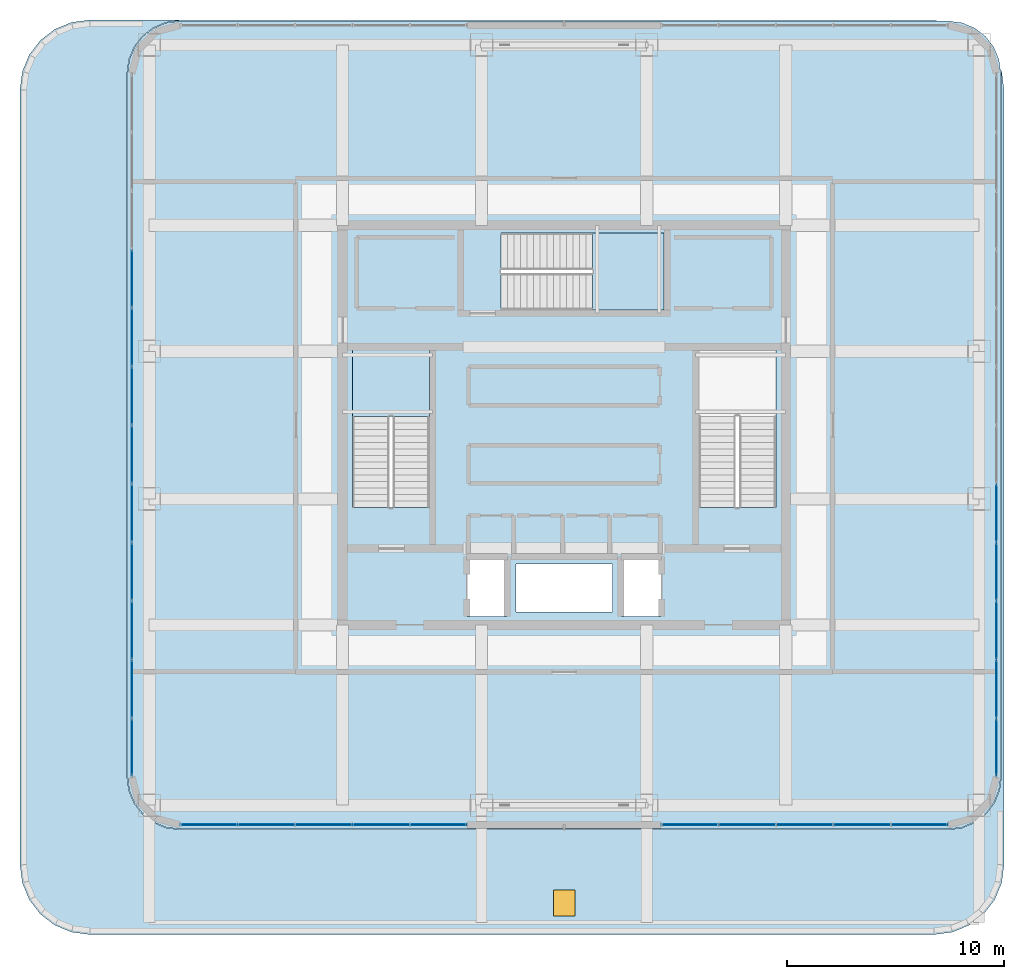
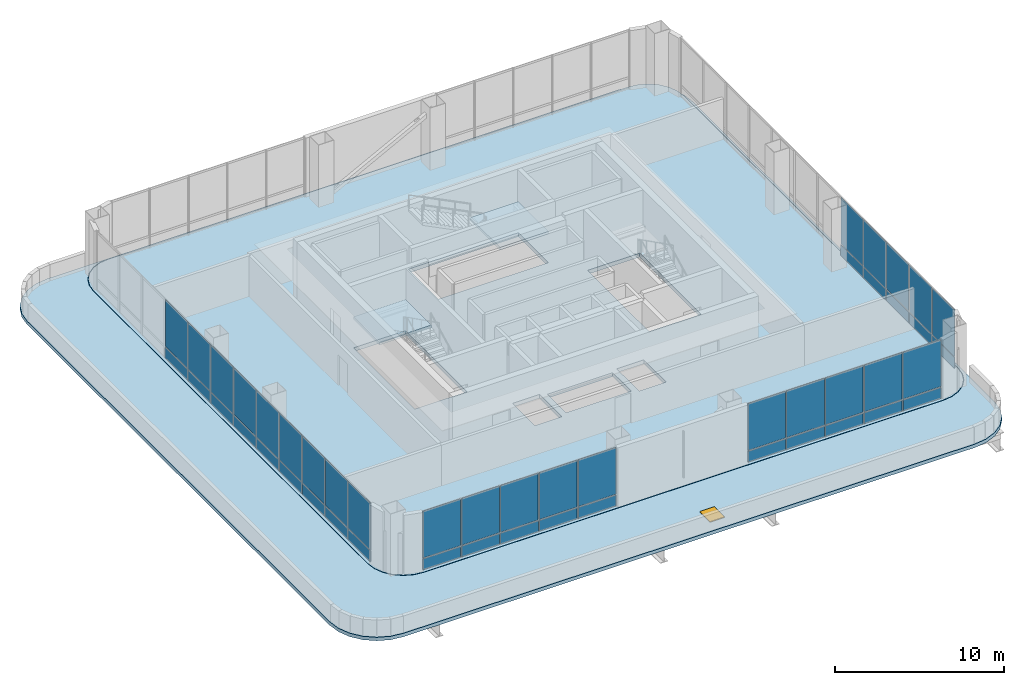
# One storey, part 25 of 33: 48 plates, 4 slabs, 1 door, 1 opening, 6 elements without a shape of their own.
"""IFC4 building model written with IfcOpenShell, lengths in metres."""

from ifc_helpers import new_model, si_unit, direction, frame, origin, origin_2d, place, context, subcontext, project, spatial, polyline, rectangle, outline, extrude, material, layer, layer_set, type_object, element, fill, aggregate, save


model = new_model("IFC4")

# Units and contexts
model_context = context("Model", 3, precision=1e-05, world=origin(), true_north=direction((0.0, 1.0)))
body_context = subcontext(model_context, "Body", "Model", "MODEL_VIEW")
ifc_project = project(units=[si_unit("LENGTHUNIT", "METRE"), si_unit("AREAUNIT", "SQUARE_METRE"), si_unit("VOLUMEUNIT", "CUBIC_METRE"), si_unit("PLANEANGLEUNIT", "RADIAN"), si_unit("MASSUNIT", "GRAM", prefix="KILO")], contexts=[model_context])

# Site, building, storey
site_placement = place(None, origin())
site = spatial("IfcSite", under=ifc_project, at=site_placement, CompositionType="ELEMENT")
building_placement = place(site_placement, origin())
building = spatial("IfcBuilding", under=site, at=building_placement, Name="Punatoya Terracotta Tower", CompositionType="ELEMENT")
storey_placement = place(building_placement, frame((0.0, 0.0, 343.800048828125)))
storey = spatial("IfcBuildingStorey", under=building, at=storey_placement, Name="L81", CompositionType="ELEMENT", Elevation=343.800048828125)

# Curtain wall, plates
ifc_material_1 = material(Name="Aluminium 6063-T6 + Double Low-E Glass", Category="aluminium")
curtain_wall_type = type_object("IfcCurtainWallType", Name="CW-CRN", PredefinedType="NOTDEFINED", material=ifc_material_1)
curtain_wall_1_placement = place(storey_placement, origin())
curtain_wall_1 = element("IfcCurtainWall", 1, at=curtain_wall_1_placement, inside=storey, type_object=curtain_wall_type, Name="L81 Curtain Wall CW-L81-S01-1", PredefinedType="NOTDEFINED")
ifc_material_2 = material(Name="Double Low-E Acoustic Vision Glass", Category="glass")
ifc_layer_1 = layer(ifc_material_2, 0.031982421875)
ifc_layer_set_1 = layer_set([ifc_layer_1], Name="Double Low-E Acoustic Vision Glass")
plate_type_1 = type_object("IfcPlateType", Name="PLT-GLZ-32", PredefinedType="CURTAIN_PANEL", material=ifc_layer_set_1)
plate_1_placement = place(storey_placement, frame((-16.36328125, -18.39990234375, 0.889892578125), z_axis=(0.0, 0.0, 1.0), x_axis=(1.0, 0.0, 0.0)))
plate_1 = element("IfcPlate", 2, at=plate_1_placement, type_object=plate_type_1, Name="CW-L81-S01-1 Vision Glass Panel 1", PredefinedType="CURTAIN_PANEL", context=body_context, shape_type="SweptSolid", body=[
    extrude(rectangle(XDim=2.5625, YDim=0.031982421875, at=origin_2d()), origin(), (0.0, 0.0, 1.0), 3.35009765625),
])
plate_2_placement = place(storey_placement, frame((-13.7158203125, -18.39990234375, 0.889892578125), z_axis=(0.0, 0.0, 1.0), x_axis=(1.0, 0.0, 0.0)))
plate_2 = element("IfcPlate", 3, at=plate_2_placement, type_object=plate_type_1, Name="CW-L81-S01-1 Vision Glass Panel 2", PredefinedType="CURTAIN_PANEL", context=body_context, shape_type="SweptSolid", body=[
    extrude(rectangle(XDim=2.5625, YDim=0.031982421875, at=origin_2d()), origin(), (0.0, 0.0, 1.0), 3.35009765625),
])
plate_3_placement = place(storey_placement, frame((-11.068603515625, -18.39990234375, 0.889892578125), z_axis=(0.0, 0.0, 1.0), x_axis=(1.0, 0.0, 0.0)))
plate_3 = element("IfcPlate", 4, at=plate_3_placement, type_object=plate_type_1, Name="CW-L81-S01-1 Vision Glass Panel 3", PredefinedType="CURTAIN_PANEL", context=body_context, shape_type="SweptSolid", body=[
    extrude(rectangle(XDim=2.5625, YDim=0.031982421875, at=origin_2d()), origin(), (0.0, 0.0, 1.0), 3.35009765625),
])
plate_4_placement = place(storey_placement, frame((-8.421142578125, -18.39990234375, 0.889892578125), z_axis=(0.0, 0.0, 1.0), x_axis=(1.0, 0.0, 0.0)))
plate_4 = element("IfcPlate", 5, at=plate_4_placement, type_object=plate_type_1, Name="CW-L81-S01-1 Vision Glass Panel 4", PredefinedType="CURTAIN_PANEL", context=body_context, shape_type="SweptSolid", body=[
    extrude(rectangle(XDim=2.5625, YDim=0.031982421875, at=origin_2d()), origin(), (0.0, 0.0, 1.0), 3.35009765625),
])
plate_5_placement = place(storey_placement, frame((-5.773681640625, -18.39990234375, 0.889892578125), z_axis=(0.0, 0.0, 1.0), x_axis=(1.0, 0.0, 0.0)))
plate_5 = element("IfcPlate", 6, at=plate_5_placement, type_object=plate_type_1, Name="CW-L81-S01-1 Vision Glass Panel 5", PredefinedType="CURTAIN_PANEL", context=body_context, shape_type="SweptSolid", body=[
    extrude(rectangle(XDim=2.5625, YDim=0.031982421875, at=origin_2d()), origin(), (0.0, 0.0, 1.0), 3.35009765625),
])

curtain_wall_2_placement = place(storey_placement, origin())
curtain_wall_2 = element("IfcCurtainWall", 7, at=curtain_wall_2_placement, inside=storey, type_object=curtain_wall_type, Name="L81 Curtain Wall CW-L81-S01-2", PredefinedType="NOTDEFINED")
plate_6_placement = place(storey_placement, frame((5.773681640625, -18.39990234375, 0.889892578125), z_axis=(0.0, 0.0, 1.0), x_axis=(1.0, 0.0, 0.0)))
plate_6 = element("IfcPlate", 8, at=plate_6_placement, type_object=plate_type_1, Name="CW-L81-S01-2 Vision Glass Panel 1", PredefinedType="CURTAIN_PANEL", context=body_context, shape_type="SweptSolid", body=[
    extrude(rectangle(XDim=2.5625, YDim=0.031982421875, at=origin_2d()), origin(), (0.0, 0.0, 1.0), 3.35009765625),
])
plate_7_placement = place(storey_placement, frame((8.421142578125, -18.39990234375, 0.889892578125), z_axis=(0.0, 0.0, 1.0), x_axis=(1.0, 0.0, 0.0)))
plate_7 = element("IfcPlate", 9, at=plate_7_placement, type_object=plate_type_1, Name="CW-L81-S01-2 Vision Glass Panel 2", PredefinedType="CURTAIN_PANEL", context=body_context, shape_type="SweptSolid", body=[
    extrude(rectangle(XDim=2.5625, YDim=0.031982421875, at=origin_2d()), origin(), (0.0, 0.0, 1.0), 3.35009765625),
])
plate_8_placement = place(storey_placement, frame((11.068603515625, -18.39990234375, 0.889892578125), z_axis=(0.0, 0.0, 1.0), x_axis=(1.0, 0.0, 0.0)))
plate_8 = element("IfcPlate", 10, at=plate_8_placement, type_object=plate_type_1, Name="CW-L81-S01-2 Vision Glass Panel 3", PredefinedType="CURTAIN_PANEL", context=body_context, shape_type="SweptSolid", body=[
    extrude(rectangle(XDim=2.5625, YDim=0.031982421875, at=origin_2d()), origin(), (0.0, 0.0, 1.0), 3.35009765625),
])
plate_9_placement = place(storey_placement, frame((13.7158203125, -18.39990234375, 0.889892578125), z_axis=(0.0, 0.0, 1.0), x_axis=(1.0, 0.0, 0.0)))
plate_9 = element("IfcPlate", 11, at=plate_9_placement, type_object=plate_type_1, Name="CW-L81-S01-2 Vision Glass Panel 4", PredefinedType="CURTAIN_PANEL", context=body_context, shape_type="SweptSolid", body=[
    extrude(rectangle(XDim=2.5625, YDim=0.031982421875, at=origin_2d()), origin(), (0.0, 0.0, 1.0), 3.35009765625),
])
plate_10_placement = place(storey_placement, frame((16.36328125, -18.39990234375, 0.889892578125), z_axis=(0.0, 0.0, 1.0), x_axis=(1.0, 0.0, 0.0)))
plate_10 = element("IfcPlate", 12, at=plate_10_placement, type_object=plate_type_1, Name="CW-L81-S01-2 Vision Glass Panel 5", PredefinedType="CURTAIN_PANEL", context=body_context, shape_type="SweptSolid", body=[
    extrude(rectangle(XDim=2.5625, YDim=0.031982421875, at=origin_2d()), origin(), (0.0, 0.0, 1.0), 3.35009765625),
])

curtain_wall_3_placement = place(storey_placement, origin())
curtain_wall_3 = element("IfcCurtainWall", 13, at=curtain_wall_3_placement, inside=storey, type_object=curtain_wall_type, Name="L81 Curtain Wall CW-L81-E05-1", PredefinedType="NOTDEFINED")
plate_11_placement = place(storey_placement, frame((19.89990234375, -14.837890625, 0.889892578125), z_axis=(0.0, 0.0, 1.0), x_axis=(0.0, 1.0, 0.0)))
plate_11 = element("IfcPlate", 14, at=plate_11_placement, type_object=plate_type_1, Name="CW-L81-E05-1 Vision Glass Panel 1", PredefinedType="CURTAIN_PANEL", context=body_context, shape_type="SweptSolid", body=[
    extrude(rectangle(XDim=2.61279296875, YDim=0.031982421875, at=origin_2d()), origin(), (0.0, 0.0, 1.0), 3.35009765625),
])
plate_12_placement = place(storey_placement, frame((19.89990234375, -12.14013671875, 0.889892578125), z_axis=(0.0, 0.0, 1.0), x_axis=(0.0, 1.0, 0.0)))
plate_12 = element("IfcPlate", 15, at=plate_12_placement, type_object=plate_type_1, Name="CW-L81-E05-1 Vision Glass Panel 2", PredefinedType="CURTAIN_PANEL", context=body_context, shape_type="SweptSolid", body=[
    extrude(rectangle(XDim=2.61279296875, YDim=0.031982421875, at=origin_2d()), origin(), (0.0, 0.0, 1.0), 3.35009765625),
])
plate_13_placement = place(storey_placement, frame((19.89990234375, -9.4423828125, 0.889892578125), z_axis=(0.0, 0.0, 1.0), x_axis=(0.0, 1.0, 0.0)))
plate_13 = element("IfcPlate", 16, at=plate_13_placement, type_object=plate_type_1, Name="CW-L81-E05-1 Vision Glass Panel 3", PredefinedType="CURTAIN_PANEL", context=body_context, shape_type="SweptSolid", body=[
    extrude(rectangle(XDim=2.61279296875, YDim=0.031982421875, at=origin_2d()), origin(), (0.0, 0.0, 1.0), 3.35009765625),
])
plate_14_placement = place(storey_placement, frame((19.89990234375, -6.744384765625, 0.889892578125), z_axis=(0.0, 0.0, 1.0), x_axis=(0.0, 1.0, 0.0)))
plate_14 = element("IfcPlate", 17, at=plate_14_placement, type_object=plate_type_1, Name="CW-L81-E05-1 Vision Glass Panel 4", PredefinedType="CURTAIN_PANEL", context=body_context, shape_type="SweptSolid", body=[
    extrude(rectangle(XDim=2.61279296875, YDim=0.031982421875, at=origin_2d()), origin(), (0.0, 0.0, 1.0), 3.35009765625),
])
plate_15_placement = place(storey_placement, frame((19.89990234375, -4.046630859375, 0.889892578125), z_axis=(0.0, 0.0, 1.0), x_axis=(0.0, 1.0, 0.0)))
plate_15 = element("IfcPlate", 18, at=plate_15_placement, type_object=plate_type_1, Name="CW-L81-E05-1 Vision Glass Panel 5", PredefinedType="CURTAIN_PANEL", context=body_context, shape_type="SweptSolid", body=[
    extrude(rectangle(XDim=2.61279296875, YDim=0.031982421875, at=origin_2d()), origin(), (0.0, 0.0, 1.0), 3.35009765625),
])

curtain_wall_4_placement = place(storey_placement, origin())
curtain_wall_4 = element("IfcCurtainWall", 19, at=curtain_wall_4_placement, inside=storey, type_object=curtain_wall_type, Name="L81 Curtain Wall CW-L81-W13-1", PredefinedType="NOTDEFINED")
plate_16_placement = place(storey_placement, frame((-19.89990234375, 6.744384765625, 0.889892578125), z_axis=(0.0, 0.0, 1.0), x_axis=(0.0, -1.0, 0.0)))
plate_16 = element("IfcPlate", 20, at=plate_16_placement, type_object=plate_type_1, Name="CW-L81-W13-1 Vision Glass Panel 4", PredefinedType="CURTAIN_PANEL", context=body_context, shape_type="SweptSolid", body=[
    extrude(rectangle(XDim=2.61279296875, YDim=0.031982421875, at=origin_2d()), origin(), (0.0, 0.0, 1.0), 3.35009765625),
])
plate_17_placement = place(storey_placement, frame((-19.89990234375, 4.046630859375, 0.889892578125), z_axis=(0.0, 0.0, 1.0), x_axis=(0.0, -1.0, 0.0)))
plate_17 = element("IfcPlate", 21, at=plate_17_placement, type_object=plate_type_1, Name="CW-L81-W13-1 Vision Glass Panel 5", PredefinedType="CURTAIN_PANEL", context=body_context, shape_type="SweptSolid", body=[
    extrude(rectangle(XDim=2.61279296875, YDim=0.031982421875, at=origin_2d()), origin(), (0.0, 0.0, 1.0), 3.35009765625),
])
plate_18_placement = place(storey_placement, frame((-19.89990234375, 1.348876953125, 0.889892578125), z_axis=(0.0, 0.0, 1.0), x_axis=(0.0, -1.0, 0.0)))
plate_18 = element("IfcPlate", 22, at=plate_18_placement, type_object=plate_type_1, Name="CW-L81-W13-1 Vision Glass Panel 6", PredefinedType="CURTAIN_PANEL", context=body_context, shape_type="SweptSolid", body=[
    extrude(rectangle(XDim=2.61279296875, YDim=0.031982421875, at=origin_2d()), origin(), (0.0, 0.0, 1.0), 3.35009765625),
])
plate_19_placement = place(storey_placement, frame((-19.89990234375, -1.348876953125, 0.889892578125), z_axis=(0.0, 0.0, 1.0), x_axis=(0.0, -1.0, 0.0)))
plate_19 = element("IfcPlate", 23, at=plate_19_placement, type_object=plate_type_1, Name="CW-L81-W13-1 Vision Glass Panel 7", PredefinedType="CURTAIN_PANEL", context=body_context, shape_type="SweptSolid", body=[
    extrude(rectangle(XDim=2.61279296875, YDim=0.031982421875, at=origin_2d()), origin(), (0.0, 0.0, 1.0), 3.35009765625),
])
plate_20_placement = place(storey_placement, frame((-19.89990234375, -4.046630859375, 0.889892578125), z_axis=(0.0, 0.0, 1.0), x_axis=(0.0, -1.0, 0.0)))
plate_20 = element("IfcPlate", 24, at=plate_20_placement, type_object=plate_type_1, Name="CW-L81-W13-1 Vision Glass Panel 8", PredefinedType="CURTAIN_PANEL", context=body_context, shape_type="SweptSolid", body=[
    extrude(rectangle(XDim=2.61279296875, YDim=0.031982421875, at=origin_2d()), origin(), (0.0, 0.0, 1.0), 3.35009765625),
])
plate_21_placement = place(storey_placement, frame((-19.89990234375, -6.744384765625, 0.889892578125), z_axis=(0.0, 0.0, 1.0), x_axis=(0.0, -1.0, 0.0)))
plate_21 = element("IfcPlate", 25, at=plate_21_placement, type_object=plate_type_1, Name="CW-L81-W13-1 Vision Glass Panel 9", PredefinedType="CURTAIN_PANEL", context=body_context, shape_type="SweptSolid", body=[
    extrude(rectangle(XDim=2.61279296875, YDim=0.031982421875, at=origin_2d()), origin(), (0.0, 0.0, 1.0), 3.35009765625),
])
plate_22_placement = place(storey_placement, frame((-19.89990234375, -9.4423828125, 0.889892578125), z_axis=(0.0, 0.0, 1.0), x_axis=(0.0, -1.0, 0.0)))
plate_22 = element("IfcPlate", 26, at=plate_22_placement, type_object=plate_type_1, Name="CW-L81-W13-1 Vision Glass Panel 10", PredefinedType="CURTAIN_PANEL", context=body_context, shape_type="SweptSolid", body=[
    extrude(rectangle(XDim=2.61279296875, YDim=0.031982421875, at=origin_2d()), origin(), (0.0, 0.0, 1.0), 3.35009765625),
])
plate_23_placement = place(storey_placement, frame((-19.89990234375, -12.14013671875, 0.889892578125), z_axis=(0.0, 0.0, 1.0), x_axis=(0.0, -1.0, 0.0)))
plate_23 = element("IfcPlate", 27, at=plate_23_placement, type_object=plate_type_1, Name="CW-L81-W13-1 Vision Glass Panel 11", PredefinedType="CURTAIN_PANEL", context=body_context, shape_type="SweptSolid", body=[
    extrude(rectangle(XDim=2.61279296875, YDim=0.031982421875, at=origin_2d()), origin(), (0.0, 0.0, 1.0), 3.35009765625),
])
plate_24_placement = place(storey_placement, frame((-19.89990234375, -14.837890625, 0.889892578125), z_axis=(0.0, 0.0, 1.0), x_axis=(0.0, -1.0, 0.0)))
plate_24 = element("IfcPlate", 28, at=plate_24_placement, type_object=plate_type_1, Name="CW-L81-W13-1 Vision Glass Panel 12", PredefinedType="CURTAIN_PANEL", context=body_context, shape_type="SweptSolid", body=[
    extrude(rectangle(XDim=2.61279296875, YDim=0.031982421875, at=origin_2d()), origin(), (0.0, 0.0, 1.0), 3.35009765625),
])

# Plate
ifc_material_3 = material(Name="Crown Insulated Terracotta Spandrel Panel", Category="masonry")
ifc_layer_2 = layer(ifc_material_3, 0.052001953125)
ifc_layer_set_2 = layer_set([ifc_layer_2], Name="Crown Insulated Terracotta Spandrel Panel")
plate_type_2 = type_object("IfcPlateType", Name="PLT-SPN-52", PredefinedType="CURTAIN_PANEL", material=ifc_layer_set_2)
plate_25_placement = place(storey_placement, frame((-16.36328125, -18.39990234375, 0.0400390625), z_axis=(0.0, 0.0, 1.0), x_axis=(1.0, 0.0, 0.0)))
plate_25 = element("IfcPlate", 29, at=plate_25_placement, type_object=plate_type_2, Name="CW-L81-S01-1 Terracotta Spandrel Panel 1", PredefinedType="CURTAIN_PANEL", context=body_context, shape_type="SweptSolid", body=[
    extrude(rectangle(XDim=2.5625, YDim=0.052001953125, at=origin_2d()), origin(), (0.0, 0.0, 1.0), 0.77490234375),
])

plate_26_placement = place(storey_placement, frame((-13.7158203125, -18.39990234375, 0.0400390625), z_axis=(0.0, 0.0, 1.0), x_axis=(1.0, 0.0, 0.0)))
plate_26 = element("IfcPlate", 30, at=plate_26_placement, type_object=plate_type_2, Name="CW-L81-S01-1 Terracotta Spandrel Panel 2", PredefinedType="CURTAIN_PANEL", context=body_context, shape_type="SweptSolid", body=[
    extrude(rectangle(XDim=2.5625, YDim=0.052001953125, at=origin_2d()), origin(), (0.0, 0.0, 1.0), 0.77490234375),
])

plate_27_placement = place(storey_placement, frame((-11.068603515625, -18.39990234375, 0.0400390625), z_axis=(0.0, 0.0, 1.0), x_axis=(1.0, 0.0, 0.0)))
plate_27 = element("IfcPlate", 31, at=plate_27_placement, type_object=plate_type_2, Name="CW-L81-S01-1 Terracotta Spandrel Panel 3", PredefinedType="CURTAIN_PANEL", context=body_context, shape_type="SweptSolid", body=[
    extrude(rectangle(XDim=2.5625, YDim=0.052001953125, at=origin_2d()), origin(), (0.0, 0.0, 1.0), 0.77490234375),
])

plate_28_placement = place(storey_placement, frame((-8.421142578125, -18.39990234375, 0.0400390625), z_axis=(0.0, 0.0, 1.0), x_axis=(1.0, 0.0, 0.0)))
plate_28 = element("IfcPlate", 32, at=plate_28_placement, type_object=plate_type_2, Name="CW-L81-S01-1 Terracotta Spandrel Panel 4", PredefinedType="CURTAIN_PANEL", context=body_context, shape_type="SweptSolid", body=[
    extrude(rectangle(XDim=2.5625, YDim=0.052001953125, at=origin_2d()), origin(), (0.0, 0.0, 1.0), 0.77490234375),
])

plate_29_placement = place(storey_placement, frame((-5.773681640625, -18.39990234375, 0.0400390625), z_axis=(0.0, 0.0, 1.0), x_axis=(1.0, 0.0, 0.0)))
plate_29 = element("IfcPlate", 33, at=plate_29_placement, type_object=plate_type_2, Name="CW-L81-S01-1 Terracotta Spandrel Panel 5", PredefinedType="CURTAIN_PANEL", context=body_context, shape_type="SweptSolid", body=[
    extrude(rectangle(XDim=2.5625, YDim=0.052001953125, at=origin_2d()), origin(), (0.0, 0.0, 1.0), 0.77490234375),
])

aggregate(curtain_wall_1, [plate_25, plate_1, plate_26, plate_2, plate_27, plate_3, plate_28, plate_4, plate_29, plate_5])

plate_30_placement = place(storey_placement, frame((5.773681640625, -18.39990234375, 0.0400390625), z_axis=(0.0, 0.0, 1.0), x_axis=(1.0, 0.0, 0.0)))
plate_30 = element("IfcPlate", 34, at=plate_30_placement, type_object=plate_type_2, Name="CW-L81-S01-2 Terracotta Spandrel Panel 1", PredefinedType="CURTAIN_PANEL", context=body_context, shape_type="SweptSolid", body=[
    extrude(rectangle(XDim=2.5625, YDim=0.052001953125, at=origin_2d()), origin(), (0.0, 0.0, 1.0), 0.77490234375),
])

plate_31_placement = place(storey_placement, frame((8.421142578125, -18.39990234375, 0.0400390625), z_axis=(0.0, 0.0, 1.0), x_axis=(1.0, 0.0, 0.0)))
plate_31 = element("IfcPlate", 35, at=plate_31_placement, type_object=plate_type_2, Name="CW-L81-S01-2 Terracotta Spandrel Panel 2", PredefinedType="CURTAIN_PANEL", context=body_context, shape_type="SweptSolid", body=[
    extrude(rectangle(XDim=2.5625, YDim=0.052001953125, at=origin_2d()), origin(), (0.0, 0.0, 1.0), 0.77490234375),
])

plate_32_placement = place(storey_placement, frame((11.068603515625, -18.39990234375, 0.0400390625), z_axis=(0.0, 0.0, 1.0), x_axis=(1.0, 0.0, 0.0)))
plate_32 = element("IfcPlate", 36, at=plate_32_placement, type_object=plate_type_2, Name="CW-L81-S01-2 Terracotta Spandrel Panel 3", PredefinedType="CURTAIN_PANEL", context=body_context, shape_type="SweptSolid", body=[
    extrude(rectangle(XDim=2.5625, YDim=0.052001953125, at=origin_2d()), origin(), (0.0, 0.0, 1.0), 0.77490234375),
])

plate_33_placement = place(storey_placement, frame((13.7158203125, -18.39990234375, 0.0400390625), z_axis=(0.0, 0.0, 1.0), x_axis=(1.0, 0.0, 0.0)))
plate_33 = element("IfcPlate", 37, at=plate_33_placement, type_object=plate_type_2, Name="CW-L81-S01-2 Terracotta Spandrel Panel 4", PredefinedType="CURTAIN_PANEL", context=body_context, shape_type="SweptSolid", body=[
    extrude(rectangle(XDim=2.5625, YDim=0.052001953125, at=origin_2d()), origin(), (0.0, 0.0, 1.0), 0.77490234375),
])

plate_34_placement = place(storey_placement, frame((16.36328125, -18.39990234375, 0.0400390625), z_axis=(0.0, 0.0, 1.0), x_axis=(1.0, 0.0, 0.0)))
plate_34 = element("IfcPlate", 38, at=plate_34_placement, type_object=plate_type_2, Name="CW-L81-S01-2 Terracotta Spandrel Panel 5", PredefinedType="CURTAIN_PANEL", context=body_context, shape_type="SweptSolid", body=[
    extrude(rectangle(XDim=2.5625, YDim=0.052001953125, at=origin_2d()), origin(), (0.0, 0.0, 1.0), 0.77490234375),
])

aggregate(curtain_wall_2, [plate_30, plate_6, plate_31, plate_7, plate_32, plate_8, plate_33, plate_9, plate_34, plate_10])

plate_35_placement = place(storey_placement, frame((19.89990234375, -14.837890625, 0.0400390625), z_axis=(0.0, 0.0, 1.0), x_axis=(0.0, 1.0, 0.0)))
plate_35 = element("IfcPlate", 39, at=plate_35_placement, type_object=plate_type_2, Name="CW-L81-E05-1 Terracotta Spandrel Panel 1", PredefinedType="CURTAIN_PANEL", context=body_context, shape_type="SweptSolid", body=[
    extrude(rectangle(XDim=2.61279296875, YDim=0.052001953125, at=origin_2d()), origin(), (0.0, 0.0, 1.0), 0.77490234375),
])

plate_36_placement = place(storey_placement, frame((19.89990234375, -12.14013671875, 0.0400390625), z_axis=(0.0, 0.0, 1.0), x_axis=(0.0, 1.0, 0.0)))
plate_36 = element("IfcPlate", 40, at=plate_36_placement, type_object=plate_type_2, Name="CW-L81-E05-1 Terracotta Spandrel Panel 2", PredefinedType="CURTAIN_PANEL", context=body_context, shape_type="SweptSolid", body=[
    extrude(rectangle(XDim=2.61279296875, YDim=0.052001953125, at=origin_2d()), origin(), (0.0, 0.0, 1.0), 0.77490234375),
])

plate_37_placement = place(storey_placement, frame((19.89990234375, -9.4423828125, 0.0400390625), z_axis=(0.0, 0.0, 1.0), x_axis=(0.0, 1.0, 0.0)))
plate_37 = element("IfcPlate", 41, at=plate_37_placement, type_object=plate_type_2, Name="CW-L81-E05-1 Terracotta Spandrel Panel 3", PredefinedType="CURTAIN_PANEL", context=body_context, shape_type="SweptSolid", body=[
    extrude(rectangle(XDim=2.61279296875, YDim=0.052001953125, at=origin_2d()), origin(), (0.0, 0.0, 1.0), 0.77490234375),
])

plate_38_placement = place(storey_placement, frame((19.89990234375, -6.744384765625, 0.0400390625), z_axis=(0.0, 0.0, 1.0), x_axis=(0.0, 1.0, 0.0)))
plate_38 = element("IfcPlate", 42, at=plate_38_placement, type_object=plate_type_2, Name="CW-L81-E05-1 Terracotta Spandrel Panel 4", PredefinedType="CURTAIN_PANEL", context=body_context, shape_type="SweptSolid", body=[
    extrude(rectangle(XDim=2.61279296875, YDim=0.052001953125, at=origin_2d()), origin(), (0.0, 0.0, 1.0), 0.77490234375),
])

plate_39_placement = place(storey_placement, frame((19.89990234375, -4.046630859375, 0.0400390625), z_axis=(0.0, 0.0, 1.0), x_axis=(0.0, 1.0, 0.0)))
plate_39 = element("IfcPlate", 43, at=plate_39_placement, type_object=plate_type_2, Name="CW-L81-E05-1 Terracotta Spandrel Panel 5", PredefinedType="CURTAIN_PANEL", context=body_context, shape_type="SweptSolid", body=[
    extrude(rectangle(XDim=2.61279296875, YDim=0.052001953125, at=origin_2d()), origin(), (0.0, 0.0, 1.0), 0.77490234375),
])

aggregate(curtain_wall_3, [plate_35, plate_11, plate_36, plate_12, plate_37, plate_13, plate_38, plate_14, plate_39, plate_15])

plate_40_placement = place(storey_placement, frame((-19.89990234375, 6.744384765625, 0.0400390625), z_axis=(0.0, 0.0, 1.0), x_axis=(0.0, -1.0, 0.0)))
plate_40 = element("IfcPlate", 44, at=plate_40_placement, type_object=plate_type_2, Name="CW-L81-W13-1 Terracotta Spandrel Panel 4", PredefinedType="CURTAIN_PANEL", context=body_context, shape_type="SweptSolid", body=[
    extrude(rectangle(XDim=2.61279296875, YDim=0.052001953125, at=origin_2d()), origin(), (0.0, 0.0, 1.0), 0.77490234375),
])

plate_41_placement = place(storey_placement, frame((-19.89990234375, 4.046630859375, 0.0400390625), z_axis=(0.0, 0.0, 1.0), x_axis=(0.0, -1.0, 0.0)))
plate_41 = element("IfcPlate", 45, at=plate_41_placement, type_object=plate_type_2, Name="CW-L81-W13-1 Terracotta Spandrel Panel 5", PredefinedType="CURTAIN_PANEL", context=body_context, shape_type="SweptSolid", body=[
    extrude(rectangle(XDim=2.61279296875, YDim=0.052001953125, at=origin_2d()), origin(), (0.0, 0.0, 1.0), 0.77490234375),
])

plate_42_placement = place(storey_placement, frame((-19.89990234375, 1.348876953125, 0.0400390625), z_axis=(0.0, 0.0, 1.0), x_axis=(0.0, -1.0, 0.0)))
plate_42 = element("IfcPlate", 46, at=plate_42_placement, type_object=plate_type_2, Name="CW-L81-W13-1 Terracotta Spandrel Panel 6", PredefinedType="CURTAIN_PANEL", context=body_context, shape_type="SweptSolid", body=[
    extrude(rectangle(XDim=2.61279296875, YDim=0.052001953125, at=origin_2d()), origin(), (0.0, 0.0, 1.0), 0.77490234375),
])

plate_43_placement = place(storey_placement, frame((-19.89990234375, -1.348876953125, 0.0400390625), z_axis=(0.0, 0.0, 1.0), x_axis=(0.0, -1.0, 0.0)))
plate_43 = element("IfcPlate", 47, at=plate_43_placement, type_object=plate_type_2, Name="CW-L81-W13-1 Terracotta Spandrel Panel 7", PredefinedType="CURTAIN_PANEL", context=body_context, shape_type="SweptSolid", body=[
    extrude(rectangle(XDim=2.61279296875, YDim=0.052001953125, at=origin_2d()), origin(), (0.0, 0.0, 1.0), 0.77490234375),
])

plate_44_placement = place(storey_placement, frame((-19.89990234375, -4.046630859375, 0.0400390625), z_axis=(0.0, 0.0, 1.0), x_axis=(0.0, -1.0, 0.0)))
plate_44 = element("IfcPlate", 48, at=plate_44_placement, type_object=plate_type_2, Name="CW-L81-W13-1 Terracotta Spandrel Panel 8", PredefinedType="CURTAIN_PANEL", context=body_context, shape_type="SweptSolid", body=[
    extrude(rectangle(XDim=2.61279296875, YDim=0.052001953125, at=origin_2d()), origin(), (0.0, 0.0, 1.0), 0.77490234375),
])

plate_45_placement = place(storey_placement, frame((-19.89990234375, -6.744384765625, 0.0400390625), z_axis=(0.0, 0.0, 1.0), x_axis=(0.0, -1.0, 0.0)))
plate_45 = element("IfcPlate", 49, at=plate_45_placement, type_object=plate_type_2, Name="CW-L81-W13-1 Terracotta Spandrel Panel 9", PredefinedType="CURTAIN_PANEL", context=body_context, shape_type="SweptSolid", body=[
    extrude(rectangle(XDim=2.61279296875, YDim=0.052001953125, at=origin_2d()), origin(), (0.0, 0.0, 1.0), 0.77490234375),
])

plate_46_placement = place(storey_placement, frame((-19.89990234375, -9.4423828125, 0.0400390625), z_axis=(0.0, 0.0, 1.0), x_axis=(0.0, -1.0, 0.0)))
plate_46 = element("IfcPlate", 50, at=plate_46_placement, type_object=plate_type_2, Name="CW-L81-W13-1 Terracotta Spandrel Panel 10", PredefinedType="CURTAIN_PANEL", context=body_context, shape_type="SweptSolid", body=[
    extrude(rectangle(XDim=2.61279296875, YDim=0.052001953125, at=origin_2d()), origin(), (0.0, 0.0, 1.0), 0.77490234375),
])

plate_47_placement = place(storey_placement, frame((-19.89990234375, -12.14013671875, 0.0400390625), z_axis=(0.0, 0.0, 1.0), x_axis=(0.0, -1.0, 0.0)))
plate_47 = element("IfcPlate", 51, at=plate_47_placement, type_object=plate_type_2, Name="CW-L81-W13-1 Terracotta Spandrel Panel 11", PredefinedType="CURTAIN_PANEL", context=body_context, shape_type="SweptSolid", body=[
    extrude(rectangle(XDim=2.61279296875, YDim=0.052001953125, at=origin_2d()), origin(), (0.0, 0.0, 1.0), 0.77490234375),
])

plate_48_placement = place(storey_placement, frame((-19.89990234375, -14.837890625, 0.0400390625), z_axis=(0.0, 0.0, 1.0), x_axis=(0.0, -1.0, 0.0)))
plate_48 = element("IfcPlate", 52, at=plate_48_placement, type_object=plate_type_2, Name="CW-L81-W13-1 Terracotta Spandrel Panel 12", PredefinedType="CURTAIN_PANEL", context=body_context, shape_type="SweptSolid", body=[
    extrude(rectangle(XDim=2.61279296875, YDim=0.052001953125, at=origin_2d()), origin(), (0.0, 0.0, 1.0), 0.77490234375),
])

aggregate(curtain_wall_4, [plate_40, plate_16, plate_41, plate_17, plate_42, plate_18, plate_43, plate_19, plate_44, plate_20, plate_45, plate_21, plate_46, plate_22, plate_47, plate_23, plate_48, plate_24])

# Stair, slab
ifc_material_4 = material(Name="Concrete C40/50", Category="concrete")
stair_type_1 = type_object("IfcStairType", Name="STR-TER-1450", PredefinedType="HALF_TURN_STAIR", material=ifc_material_4)
stair_1_placement = place(storey_placement, origin())
stair_1 = element("IfcStair", 53, at=stair_1_placement, inside=storey, type_object=stair_type_1, Name="L81 Protected Core Exit Stair ST-3", PredefinedType="HALF_TURN_STAIR")
ifc_layer_3 = layer(ifc_material_4, 0.1650390625)
ifc_layer_set_3 = layer_set([ifc_layer_3], Name="Concrete C40/50")
slab_type_1 = type_object("IfcSlabType", Name="SLB-LND-165", PredefinedType="LANDING", material=ifc_layer_set_3)
slab_1_placement = place(storey_placement, frame((0.0, 0.0, 2.050048828125)))
slab_1 = element("IfcSlab", 54, at=slab_1_placement, type_object=slab_type_1, Name="ST-3 landing 1", PredefinedType="LANDING", context=body_context, shape_type="SweptSolid", body=[
    extrude(outline(polyline([(1.300048828125, 5.300048828125), (4.60009765625, 5.300048828125), (4.60009765625, 8.85009765625), (1.300048828125, 8.85009765625), (1.300048828125, 5.300048828125)])), origin(), (0.0, 0.0, 1.0), 0.199951171875),
])
aggregate(stair_1, [slab_1])

stair_type_2 = type_object("IfcStairType", Name="STR-CORE-1550", PredefinedType="HALF_TURN_STAIR", material=ifc_material_4)
stair_2_placement = place(storey_placement, origin())
stair_2 = element("IfcStair", 55, at=stair_2_placement, inside=storey, type_object=stair_type_2, Name="L81 Protected Core Exit Stair ST-1", PredefinedType="HALF_TURN_STAIR")
ifc_layer_4 = layer(ifc_material_4, 0.179931640625)
ifc_layer_set_4 = layer_set([ifc_layer_4], Name="Concrete C40/50")
slab_type_2 = type_object("IfcSlabType", Name="SLB-LND-180", PredefinedType="LANDING", material=ifc_layer_set_4)
slab_2_placement = place(storey_placement, frame((0.0, 0.0, 2.050048828125)))
slab_2 = element("IfcSlab", 56, at=slab_2_placement, type_object=slab_type_2, Name="ST-1 landing 1", PredefinedType="LANDING", context=body_context, shape_type="SweptSolid", body=[
    extrude(outline(polyline([(-6.199951171875, 0.39990234375), (-6.199951171875, 3.449951171875), (-9.75, 3.449951171875), (-9.75, 0.39990234375), (-6.199951171875, 0.39990234375)])), origin(), (0.0, 0.0, 1.0), 0.199951171875),
])
aggregate(stair_2, [slab_2])

# Slab
ifc_layer_5 = layer(ifc_material_4, 0.280029296875)
ifc_layer_set_5 = layer_set([ifc_layer_5], Name="Concrete C40/50")
slab_type_3 = type_object("IfcSlabType", Name="SLB-POD-280", PredefinedType="FLOOR", material=ifc_layer_set_5)
slab_3_placement = place(storey_placement, frame((0.0, 0.0, -0.280029296875)))
element("IfcSlab", 57, at=slab_3_placement, inside=storey, type_object=slab_type_3, Name="L81 Structural Floor Slab", PredefinedType="FLOOR", context=body_context, shape_type="SweptSolid", body=[
    extrude(outline(polyline([(-17.699951171875, -18.60009765625), (-18.3212890625, -18.518310546875), (-18.89990234375, -18.278564453125), (-19.397216796875, -17.897216796875), (-19.778564453125, -17.39990234375), (-20.018310546875, -16.8212890625), (-20.10009765625, -16.199951171875), (-20.10009765625, 16.199951171875), (-20.018310546875, 16.8212890625), (-19.778564453125, 17.39990234375), (-19.397216796875, 17.897216796875), (-18.89990234375, 18.278564453125), (-18.3212890625, 18.518310546875), (-17.699951171875, 18.60009765625), (17.699951171875, 18.60009765625), (18.3212890625, 18.518310546875), (18.89990234375, 18.278564453125), (19.397216796875, 17.897216796875), (19.778564453125, 17.39990234375), (20.018310546875, 16.8212890625), (20.10009765625, 16.199951171875), (20.10009765625, -16.199951171875), (20.018310546875, -16.8212890625), (19.778564453125, -17.39990234375), (19.397216796875, -17.897216796875), (18.89990234375, -18.278564453125), (18.3212890625, -18.518310546875), (17.699951171875, -18.60009765625), (-17.699951171875, -18.60009765625)]), holes=[polyline([(-4.469970703125, -6.179931640625), (-4.469970703125, -8.820068359375), (-2.6298828125, -8.820068359375), (-2.6298828125, -6.179931640625), (-4.469970703125, -6.179931640625)]), polyline([(-2.219970703125, -6.405029296875), (-2.219970703125, -8.594970703125), (-0.02001953125, -8.594970703125), (0.02001953125, -8.594970703125), (2.219970703125, -8.594970703125), (2.219970703125, -6.405029296875), (0.02001953125, -6.405029296875), (-0.02001953125, -6.405029296875), (-2.219970703125, -6.405029296875)]), polyline([(4.469970703125, -6.179931640625), (2.6298828125, -6.179931640625), (2.6298828125, -8.820068359375), (4.469970703125, -8.820068359375), (4.469970703125, -6.179931640625)]), polyline([(-9.75, 3.449951171875), (-9.75, -3.79931640625), (-6.199951171875, -3.79931640625), (-6.199951171875, 3.449951171875), (-9.75, 3.449951171875)]), polyline([(6.199951171875, 3.449951171875), (6.199951171875, -3.79931640625), (9.75, -3.79931640625), (9.75, 3.449951171875), (6.199951171875, 3.449951171875)]), polyline([(4.60009765625, 8.85009765625), (-2.899169921875, 8.85009765625), (-2.899169921875, 5.300048828125), (4.60009765625, 5.300048828125), (4.60009765625, 8.85009765625)])]), origin(), (0.0, 0.0, 1.0), 0.280029296875),
])

# Slab, opening, door
ifc_layer_6 = layer(ifc_material_4, 0.25)
ifc_layer_set_6 = layer_set([ifc_layer_6], Name="Concrete C40/50")
slab_type_4 = type_object("IfcSlabType", Name="SLB-ROF-250", PredefinedType="ROOF", material=ifc_layer_set_6)
slab_4_placement = place(storey_placement, frame((0.0, 0.0, -0.25)))
slab_4 = element("IfcSlab", 58, at=slab_4_placement, inside=storey, type_object=slab_type_4, Name="L81 Baradari Crown Maintenance Step Roof", PredefinedType="ROOF", context=body_context, shape_type="SweptSolid", body=[
    extrude(outline(polyline([(20.25, 15.449951171875), (20.14111328125, 16.2783203125), (20.095458984375, 16.388427734375), (20.1201171875, 16.201416015625), (20.1201171875, -16.201416015625), (20.03759765625, -16.826416015625), (19.7958984375, -17.41015625), (19.411376953125, -17.911376953125), (18.91015625, -18.2958984375), (18.326416015625, -18.53759765625), (17.701416015625, -18.6201171875), (-17.701416015625, -18.6201171875), (-18.326416015625, -18.53759765625), (-18.91015625, -18.2958984375), (-19.411376953125, -17.911376953125), (-19.7958984375, -17.41015625), (-20.03759765625, -16.826416015625), (-20.1201171875, -16.201416015625), (-20.1201171875, 16.201416015625), (-20.03759765625, 16.826416015625), (-19.7958984375, 17.41015625), (-19.411376953125, 17.911376953125), (-18.91015625, 18.2958984375), (-18.326416015625, 18.53759765625), (-17.701416015625, 18.6201171875), (17.27783203125, 18.6201171875), (17.050048828125, 18.64990234375), (-21.85009765625, 18.64990234375), (-22.67822265625, 18.541015625), (-23.449951171875, 18.22119140625), (-24.11279296875, 17.712646484375), (-24.621337890625, 17.050048828125), (-24.94091796875, 16.2783203125), (-25.050048828125, 15.449951171875), (-25.050048828125, -20.25), (-24.94091796875, -21.078125), (-24.621337890625, -21.85009765625), (-24.11279296875, -22.5126953125), (-23.449951171875, -23.021240234375), (-22.67822265625, -23.341064453125), (-21.85009765625, -23.449951171875), (17.050048828125, -23.449951171875), (17.878173828125, -23.341064453125), (18.64990234375, -23.021240234375), (19.312744140625, -22.5126953125), (19.8212890625, -21.85009765625), (20.14111328125, -21.078125), (20.25, -20.25), (20.25, 15.449951171875)]), holes=[polyline([(0.5, -21.39990234375), (0.5, -22.60009765625), (-0.5, -22.60009765625), (-0.5, -21.39990234375), (0.5, -21.39990234375)])]), origin(), (0.0, 0.0, 1.0), 0.25),
])
opening_placement = place(slab_4_placement, frame((0.0, -22.0, 0.0)))
opening = element("IfcOpeningElement", 59, at=opening_placement, cuts=slab_4, Name="Opening RHT-1", PredefinedType="OPENING", context=body_context, shape_type="SweptSolid", body=[
    extrude(rectangle(XDim=1.0, YDim=1.199951171875, at=origin_2d()), frame((0.0, 0.0, -0.010009765625)), (0.0, 0.0, 1.0), 0.320068359375),
])
ifc_material_5 = material(Name="Insulated Aluminium Roof Hatch", Category="aluminium")
door_type = type_object("IfcDoorType", Name="DR-HTCH-1000", OperationType="NOTDEFINED", PredefinedType="TRAPDOOR", material=ifc_material_5)
door_placement = place(opening_placement, frame((0.0, 0.0, 0.25)))
door = element("IfcDoor", 60, at=door_placement, inside=storey, type_object=door_type, Name="L81 Crown Step-Roof Maintenance Hatch", OperationType="SINGLE_SWING_LEFT", OverallHeight=1.199951171875, OverallWidth=1.0, PredefinedType="TRAPDOOR", context=body_context, shape_type="SweptSolid", body=[
    extrude(rectangle(XDim=1.0, YDim=1.199951171875, at=origin_2d()), origin(), (0.0, 0.0, 1.0), 0.050048828125),
])
fill(opening, door)

save(model, "model.ifc")
